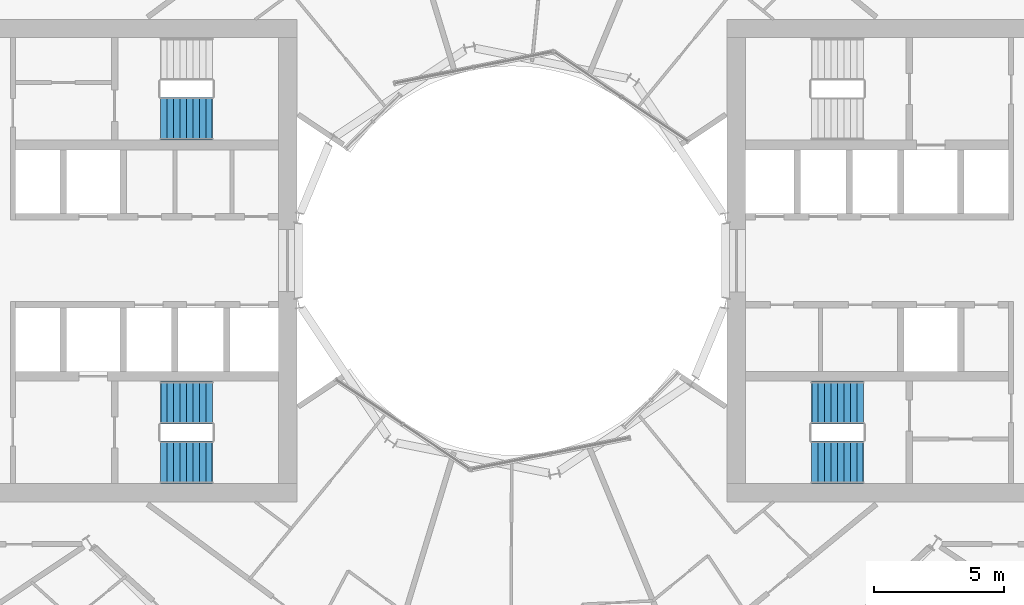
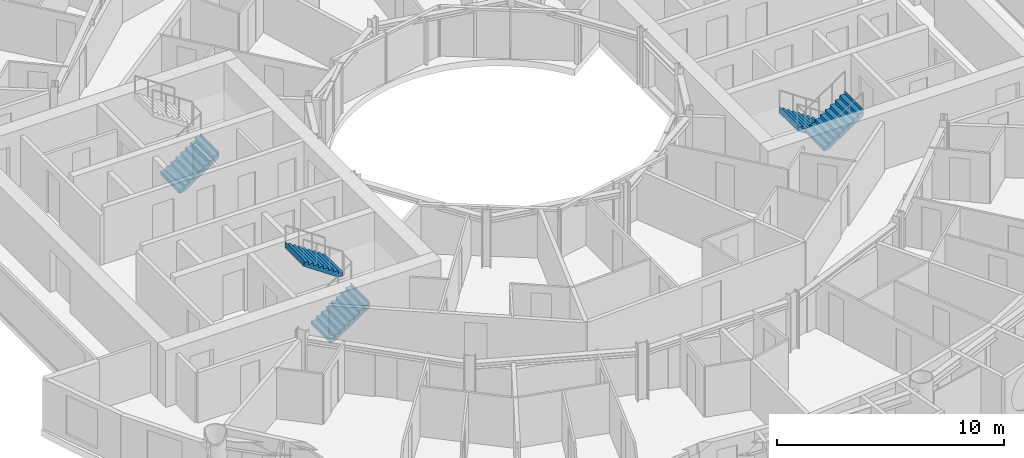
# One storey, part 23 of 26: 5 stair flights, 3 elements without a shape of their own.
"""IFC4 building model written with IfcOpenShell, lengths in metres."""

from ifc_helpers import new_model, si_unit, direction, frame, origin, place, context, subcontext, project, spatial, triangles, material, type_object, element, aggregate, save


model = new_model("IFC4")

# Units and contexts
model_context = context("Model", 3, precision=1e-05, world=origin(), true_north=direction((0.0, 1.0)))
body_context = subcontext(model_context, "Body", "Model", "MODEL_VIEW")
ifc_project = project(units=[si_unit("LENGTHUNIT", "METRE"), si_unit("AREAUNIT", "SQUARE_METRE"), si_unit("VOLUMEUNIT", "CUBIC_METRE"), si_unit("PLANEANGLEUNIT", "RADIAN"), si_unit("MASSUNIT", "GRAM", prefix="KILO")], contexts=[model_context])

# Site, building, storey
site_placement = place(None, origin())
site = spatial("IfcSite", under=ifc_project, at=site_placement, CompositionType="ELEMENT")
building_placement = place(site_placement, origin())
building = spatial("IfcBuilding", under=site, at=building_placement, Name="Maasbend Ring Residences", CompositionType="ELEMENT")
storey_placement = place(building_placement, frame((0.0, 0.0, 84.949951171875)))
storey = spatial("IfcBuildingStorey", under=building, at=storey_placement, Name="L24", CompositionType="ELEMENT", Elevation=84.949951171875)

# Stair, stair flights
ifc_material_1 = material(Name="Concrete C40/50", Category="concrete")
stair_type = type_object("IfcStairType", Name="CORE STAIR 18 RISERS", PredefinedType="HALF_TURN_STAIR", material=ifc_material_1)
stair_1_placement = place(storey_placement, origin())
stair_1 = element("IfcStair", 1, at=stair_1_placement, inside=storey, type_object=stair_type, Name="L24 Exit stair ST-E2", PredefinedType="HALF_TURN_STAIR")
ifc_material_2 = material(Name="Concrete C40/50", Category="concrete")
stair_flight_type = type_object("IfcStairFlightType", Name="CORE STAIR FLIGHT 1650", PredefinedType="STRAIGHT", material=ifc_material_2)
stair_flight_1_placement = place(storey_placement, frame((13.550048828125, -5.47509765625, 0.0), z_axis=(0.0, 0.0, 1.0), x_axis=(-1.0, 0.0, 0.0)))
stair_flight_1 = element("IfcStairFlight", 2, at=stair_flight_1_placement, type_object=stair_flight_type, Name="ST-E2 flight 1", NumberOfRisers=9, NumberOfTreads=8, PredefinedType="STRAIGHT", RiserHeight=0.169444444, TreadLength=0.25, context=body_context, shape_type="Tessellation", body=[
    triangles([(0.24072265625, 0.824951171875, -0.02001953125), (2.0029296875, 0.824951171875, 1.174560546875), (2.0029296875, 0.824951171875, 1.52490234375), (1.989990234375, 0.824951171875, 1.35546875), (1.75, 0.824951171875, 1.35546875), (1.75, 0.824951171875, 1.18603515625), (1.5, 0.824951171875, 1.18603515625), (1.5, 0.824951171875, 1.0166015625), (1.25, 0.824951171875, 1.0166015625), (1.25, 0.824951171875, 0.84716796875), (1.0, 0.824951171875, 0.84716796875), (1.0, 0.824951171875, 0.677734375), (0.75, 0.824951171875, 0.677734375), (0.75, 0.824951171875, 0.50830078125), (0.5, 0.824951171875, 0.50830078125), (0.5, 0.824951171875, 0.3388671875), (0.25, 0.824951171875, 0.3388671875), (0.25, 0.824951171875, 0.16943359375), (0.0, 0.824951171875, 0.16943359375), (0.0, 0.824951171875, 0.0), (-0.0029296875, 0.824951171875, 0.0), (-0.0029296875, 0.824951171875, -0.02001953125), (0.24072265625, 0.27490234375, -0.02001953125), (2.0029296875, 0.27490234375, 1.174560546875), (2.0029296875, 0.27490234375, 1.52490234375), (1.989990234375, 0.27490234375, 1.35546875), (1.75, 0.27490234375, 1.35546875), (1.75, 0.27490234375, 1.18603515625), (1.5, 0.27490234375, 1.18603515625), (1.5, 0.27490234375, 1.0166015625), (1.25, 0.27490234375, 1.0166015625), (1.25, 0.27490234375, 0.84716796875), (1.0, 0.27490234375, 0.84716796875), (1.0, 0.27490234375, 0.677734375), (0.75, 0.27490234375, 0.677734375), (0.75, 0.27490234375, 0.50830078125), (0.5, 0.27490234375, 0.50830078125), (0.5, 0.27490234375, 0.3388671875), (0.25, 0.27490234375, 0.3388671875), (0.25, 0.27490234375, 0.16943359375), (0.0, 0.27490234375, 0.16943359375), (0.0, 0.27490234375, 0.0), (-0.0029296875, 0.27490234375, 0.0), (-0.0029296875, 0.27490234375, -0.02001953125), (0.24072265625, -0.27490234375, -0.02001953125), (2.0029296875, -0.27490234375, 1.174560546875), (2.0029296875, -0.27490234375, 1.52490234375), (1.989990234375, -0.27490234375, 1.35546875), (1.75, -0.27490234375, 1.35546875), (1.75, -0.27490234375, 1.18603515625), (1.5, -0.27490234375, 1.18603515625), (1.5, -0.27490234375, 1.0166015625), (1.25, -0.27490234375, 1.0166015625), (1.25, -0.27490234375, 0.84716796875), (1.0, -0.27490234375, 0.84716796875), (1.0, -0.27490234375, 0.677734375), (0.75, -0.27490234375, 0.677734375), (0.75, -0.27490234375, 0.50830078125), (0.5, -0.27490234375, 0.50830078125), (0.5, -0.27490234375, 0.3388671875), (0.25, -0.27490234375, 0.3388671875), (0.25, -0.27490234375, 0.16943359375), (0.0, -0.27490234375, 0.16943359375), (0.0, -0.27490234375, 0.0), (-0.0029296875, -0.27490234375, 0.0), (-0.0029296875, -0.27490234375, -0.02001953125), (0.24072265625, -0.824951171875, -0.02001953125), (2.0029296875, -0.824951171875, 1.174560546875), (2.0029296875, -0.824951171875, 1.52490234375), (1.989990234375, -0.824951171875, 1.35546875), (1.75, -0.824951171875, 1.35546875), (1.75, -0.824951171875, 1.18603515625), (1.5, -0.824951171875, 1.18603515625), (1.5, -0.824951171875, 1.0166015625), (1.25, -0.824951171875, 1.0166015625), (1.25, -0.824951171875, 0.84716796875), (1.0, -0.824951171875, 0.84716796875), (1.0, -0.824951171875, 0.677734375), (0.75, -0.824951171875, 0.677734375), (0.75, -0.824951171875, 0.50830078125), (0.5, -0.824951171875, 0.50830078125), (0.5, -0.824951171875, 0.3388671875), (0.25, -0.824951171875, 0.3388671875), (0.25, -0.824951171875, 0.16943359375), (0.0, -0.824951171875, 0.16943359375), (0.0, -0.824951171875, 0.0), (-0.0029296875, -0.824951171875, 0.0), (-0.0029296875, -0.824951171875, -0.02001953125)], [[1, 2, 24], [1, 24, 23], [23, 24, 46], [23, 46, 45], [45, 46, 68], [45, 68, 67], [2, 3, 25], [2, 25, 24], [24, 25, 47], [24, 47, 46], [46, 47, 69], [46, 69, 68], [3, 4, 26], [3, 26, 25], [25, 26, 48], [25, 48, 47], [47, 48, 70], [47, 70, 69], [4, 5, 27], [4, 27, 26], [26, 27, 49], [26, 49, 48], [48, 49, 71], [48, 71, 70], [5, 6, 28], [5, 28, 27], [27, 28, 50], [27, 50, 49], [49, 50, 72], [49, 72, 71], [6, 7, 29], [6, 29, 28], [28, 29, 51], [28, 51, 50], [50, 51, 73], [50, 73, 72], [7, 8, 30], [7, 30, 29], [29, 30, 52], [29, 52, 51], [51, 52, 74], [51, 74, 73], [8, 9, 31], [8, 31, 30], [30, 31, 53], [30, 53, 52], [52, 53, 75], [52, 75, 74], [9, 10, 32], [9, 32, 31], [31, 32, 54], [31, 54, 53], [53, 54, 76], [53, 76, 75], [10, 11, 33], [10, 33, 32], [32, 33, 55], [32, 55, 54], [54, 55, 77], [54, 77, 76], [11, 12, 34], [11, 34, 33], [33, 34, 56], [33, 56, 55], [55, 56, 78], [55, 78, 77], [12, 13, 35], [12, 35, 34], [34, 35, 57], [34, 57, 56], [56, 57, 79], [56, 79, 78], [13, 14, 36], [13, 36, 35], [35, 36, 58], [35, 58, 57], [57, 58, 80], [57, 80, 79], [14, 15, 37], [14, 37, 36], [36, 37, 59], [36, 59, 58], [58, 59, 81], [58, 81, 80], [15, 16, 38], [15, 38, 37], [37, 38, 60], [37, 60, 59], [59, 60, 82], [59, 82, 81], [16, 17, 39], [16, 39, 38], [38, 39, 61], [38, 61, 60], [60, 61, 83], [60, 83, 82], [17, 18, 40], [17, 40, 39], [39, 40, 62], [39, 62, 61], [61, 62, 84], [61, 84, 83], [18, 19, 41], [18, 41, 40], [40, 41, 63], [40, 63, 62], [62, 63, 85], [62, 85, 84], [19, 20, 42], [19, 42, 41], [41, 42, 64], [41, 64, 63], [63, 64, 86], [63, 86, 85], [20, 21, 43], [20, 43, 42], [42, 43, 65], [42, 65, 64], [64, 65, 87], [64, 87, 86], [21, 22, 44], [21, 44, 43], [43, 44, 66], [43, 66, 65], [65, 66, 88], [65, 88, 87], [22, 1, 23], [22, 23, 44], [44, 23, 45], [44, 45, 66], [66, 45, 67], [66, 67, 88], [22, 2, 1], [2, 4, 3], [2, 5, 4], [2, 6, 5], [22, 6, 2], [6, 8, 7], [22, 8, 6], [8, 10, 9], [22, 10, 8], [10, 12, 11], [22, 12, 10], [12, 14, 13], [22, 14, 12], [14, 16, 15], [22, 16, 14], [16, 18, 17], [22, 18, 16], [18, 20, 19], [22, 20, 18], [20, 22, 21], [88, 67, 68], [68, 69, 70], [68, 70, 71], [68, 71, 72], [88, 68, 72], [72, 73, 74], [88, 72, 74], [74, 75, 76], [88, 74, 76], [76, 77, 78], [88, 76, 78], [78, 79, 80], [88, 78, 80], [80, 81, 82], [88, 80, 82], [82, 83, 84], [88, 82, 84], [84, 85, 86], [88, 84, 86], [86, 87, 88]], closed=True),
])
stair_flight_2_placement = place(storey_placement, frame((11.550048828125, -7.77490234375, 1.525146484375), z_axis=(0.0, 0.0, 1.0), x_axis=(1.0, 0.0, 0.0)))
stair_flight_2 = element("IfcStairFlight", 3, at=stair_flight_2_placement, type_object=stair_flight_type, Name="ST-E2 flight 2", NumberOfRisers=9, NumberOfTreads=8, PredefinedType="STRAIGHT", RiserHeight=0.169444444, TreadLength=0.25, context=body_context, shape_type="Tessellation", body=[
    triangles([(0.24072265625, 0.824951171875, -0.02001953125), (2.0029296875, 0.824951171875, 1.174560546875), (2.0029296875, 0.824951171875, 1.52490234375), (1.989990234375, 0.824951171875, 1.35546875), (1.75, 0.824951171875, 1.35546875), (1.75, 0.824951171875, 1.18603515625), (1.5, 0.824951171875, 1.18603515625), (1.5, 0.824951171875, 1.0166015625), (1.25, 0.824951171875, 1.0166015625), (1.25, 0.824951171875, 0.84716796875), (1.0, 0.824951171875, 0.84716796875), (1.0, 0.824951171875, 0.677734375), (0.75, 0.824951171875, 0.677734375), (0.75, 0.824951171875, 0.50830078125), (0.5, 0.824951171875, 0.50830078125), (0.5, 0.824951171875, 0.3388671875), (0.25, 0.824951171875, 0.3388671875), (0.25, 0.824951171875, 0.16943359375), (0.0, 0.824951171875, 0.16943359375), (0.0, 0.824951171875, 0.0), (-0.0029296875, 0.824951171875, 0.0), (-0.0029296875, 0.824951171875, -0.02001953125), (0.24072265625, 0.27490234375, -0.02001953125), (2.0029296875, 0.27490234375, 1.174560546875), (2.0029296875, 0.27490234375, 1.52490234375), (1.989990234375, 0.27490234375, 1.35546875), (1.75, 0.27490234375, 1.35546875), (1.75, 0.27490234375, 1.18603515625), (1.5, 0.27490234375, 1.18603515625), (1.5, 0.27490234375, 1.0166015625), (1.25, 0.27490234375, 1.0166015625), (1.25, 0.27490234375, 0.84716796875), (1.0, 0.27490234375, 0.84716796875), (1.0, 0.27490234375, 0.677734375), (0.75, 0.27490234375, 0.677734375), (0.75, 0.27490234375, 0.50830078125), (0.5, 0.27490234375, 0.50830078125), (0.5, 0.27490234375, 0.3388671875), (0.25, 0.27490234375, 0.3388671875), (0.25, 0.27490234375, 0.16943359375), (0.0, 0.27490234375, 0.16943359375), (0.0, 0.27490234375, 0.0), (-0.0029296875, 0.27490234375, 0.0), (-0.0029296875, 0.27490234375, -0.02001953125), (0.24072265625, -0.27490234375, -0.02001953125), (2.0029296875, -0.27490234375, 1.174560546875), (2.0029296875, -0.27490234375, 1.52490234375), (1.989990234375, -0.27490234375, 1.35546875), (1.75, -0.27490234375, 1.35546875), (1.75, -0.27490234375, 1.18603515625), (1.5, -0.27490234375, 1.18603515625), (1.5, -0.27490234375, 1.0166015625), (1.25, -0.27490234375, 1.0166015625), (1.25, -0.27490234375, 0.84716796875), (1.0, -0.27490234375, 0.84716796875), (1.0, -0.27490234375, 0.677734375), (0.75, -0.27490234375, 0.677734375), (0.75, -0.27490234375, 0.50830078125), (0.5, -0.27490234375, 0.50830078125), (0.5, -0.27490234375, 0.3388671875), (0.25, -0.27490234375, 0.3388671875), (0.25, -0.27490234375, 0.16943359375), (0.0, -0.27490234375, 0.16943359375), (0.0, -0.27490234375, 0.0), (-0.0029296875, -0.27490234375, 0.0), (-0.0029296875, -0.27490234375, -0.02001953125), (0.24072265625, -0.824951171875, -0.02001953125), (2.0029296875, -0.824951171875, 1.174560546875), (2.0029296875, -0.824951171875, 1.52490234375), (1.989990234375, -0.824951171875, 1.35546875), (1.75, -0.824951171875, 1.35546875), (1.75, -0.824951171875, 1.18603515625), (1.5, -0.824951171875, 1.18603515625), (1.5, -0.824951171875, 1.0166015625), (1.25, -0.824951171875, 1.0166015625), (1.25, -0.824951171875, 0.84716796875), (1.0, -0.824951171875, 0.84716796875), (1.0, -0.824951171875, 0.677734375), (0.75, -0.824951171875, 0.677734375), (0.75, -0.824951171875, 0.50830078125), (0.5, -0.824951171875, 0.50830078125), (0.5, -0.824951171875, 0.3388671875), (0.25, -0.824951171875, 0.3388671875), (0.25, -0.824951171875, 0.16943359375), (0.0, -0.824951171875, 0.16943359375), (0.0, -0.824951171875, 0.0), (-0.0029296875, -0.824951171875, 0.0), (-0.0029296875, -0.824951171875, -0.02001953125)], [[1, 2, 24], [1, 24, 23], [23, 24, 46], [23, 46, 45], [45, 46, 68], [45, 68, 67], [2, 3, 25], [2, 25, 24], [24, 25, 47], [24, 47, 46], [46, 47, 69], [46, 69, 68], [3, 4, 26], [3, 26, 25], [25, 26, 48], [25, 48, 47], [47, 48, 70], [47, 70, 69], [4, 5, 27], [4, 27, 26], [26, 27, 49], [26, 49, 48], [48, 49, 71], [48, 71, 70], [5, 6, 28], [5, 28, 27], [27, 28, 50], [27, 50, 49], [49, 50, 72], [49, 72, 71], [6, 7, 29], [6, 29, 28], [28, 29, 51], [28, 51, 50], [50, 51, 73], [50, 73, 72], [7, 8, 30], [7, 30, 29], [29, 30, 52], [29, 52, 51], [51, 52, 74], [51, 74, 73], [8, 9, 31], [8, 31, 30], [30, 31, 53], [30, 53, 52], [52, 53, 75], [52, 75, 74], [9, 10, 32], [9, 32, 31], [31, 32, 54], [31, 54, 53], [53, 54, 76], [53, 76, 75], [10, 11, 33], [10, 33, 32], [32, 33, 55], [32, 55, 54], [54, 55, 77], [54, 77, 76], [11, 12, 34], [11, 34, 33], [33, 34, 56], [33, 56, 55], [55, 56, 78], [55, 78, 77], [12, 13, 35], [12, 35, 34], [34, 35, 57], [34, 57, 56], [56, 57, 79], [56, 79, 78], [13, 14, 36], [13, 36, 35], [35, 36, 58], [35, 58, 57], [57, 58, 80], [57, 80, 79], [14, 15, 37], [14, 37, 36], [36, 37, 59], [36, 59, 58], [58, 59, 81], [58, 81, 80], [15, 16, 38], [15, 38, 37], [37, 38, 60], [37, 60, 59], [59, 60, 82], [59, 82, 81], [16, 17, 39], [16, 39, 38], [38, 39, 61], [38, 61, 60], [60, 61, 83], [60, 83, 82], [17, 18, 40], [17, 40, 39], [39, 40, 62], [39, 62, 61], [61, 62, 84], [61, 84, 83], [18, 19, 41], [18, 41, 40], [40, 41, 63], [40, 63, 62], [62, 63, 85], [62, 85, 84], [19, 20, 42], [19, 42, 41], [41, 42, 64], [41, 64, 63], [63, 64, 86], [63, 86, 85], [20, 21, 43], [20, 43, 42], [42, 43, 65], [42, 65, 64], [64, 65, 87], [64, 87, 86], [21, 22, 44], [21, 44, 43], [43, 44, 66], [43, 66, 65], [65, 66, 88], [65, 88, 87], [22, 1, 23], [22, 23, 44], [44, 23, 45], [44, 45, 66], [66, 45, 67], [66, 67, 88], [22, 2, 1], [2, 4, 3], [2, 5, 4], [2, 6, 5], [22, 6, 2], [6, 8, 7], [22, 8, 6], [8, 10, 9], [22, 10, 8], [10, 12, 11], [22, 12, 10], [12, 14, 13], [22, 14, 12], [14, 16, 15], [22, 16, 14], [16, 18, 17], [22, 18, 16], [18, 20, 19], [22, 20, 18], [20, 22, 21], [88, 67, 68], [68, 69, 70], [68, 70, 71], [68, 71, 72], [88, 68, 72], [72, 73, 74], [88, 72, 74], [74, 75, 76], [88, 74, 76], [76, 77, 78], [88, 76, 78], [78, 79, 80], [88, 78, 80], [80, 81, 82], [88, 80, 82], [82, 83, 84], [88, 82, 84], [84, 85, 86], [88, 84, 86], [86, 87, 88]], closed=True),
])
aggregate(stair_1, [stair_flight_1, stair_flight_2])

stair_2_placement = place(storey_placement, origin())
stair_2 = element("IfcStair", 4, at=stair_2_placement, inside=storey, type_object=stair_type, Name="L24 Exit stair ST-W1", PredefinedType="HALF_TURN_STAIR")
stair_flight_3_placement = place(storey_placement, frame((-13.550048828125, -7.77490234375, 0.0), z_axis=(0.0, 0.0, 1.0), x_axis=(1.0, 0.0, 0.0)))
stair_flight_3 = element("IfcStairFlight", 5, at=stair_flight_3_placement, type_object=stair_flight_type, Name="ST-W1 flight 1", NumberOfRisers=9, NumberOfTreads=8, PredefinedType="STRAIGHT", RiserHeight=0.169444444, TreadLength=0.25, context=body_context, shape_type="Tessellation", body=[
    triangles([(0.24072265625, 0.824951171875, -0.02001953125), (2.0029296875, 0.824951171875, 1.174560546875), (2.0029296875, 0.824951171875, 1.52490234375), (1.989990234375, 0.824951171875, 1.35546875), (1.75, 0.824951171875, 1.35546875), (1.75, 0.824951171875, 1.18603515625), (1.5, 0.824951171875, 1.18603515625), (1.5, 0.824951171875, 1.0166015625), (1.25, 0.824951171875, 1.0166015625), (1.25, 0.824951171875, 0.84716796875), (1.0, 0.824951171875, 0.84716796875), (1.0, 0.824951171875, 0.677734375), (0.75, 0.824951171875, 0.677734375), (0.75, 0.824951171875, 0.50830078125), (0.5, 0.824951171875, 0.50830078125), (0.5, 0.824951171875, 0.3388671875), (0.25, 0.824951171875, 0.3388671875), (0.25, 0.824951171875, 0.16943359375), (0.0, 0.824951171875, 0.16943359375), (0.0, 0.824951171875, 0.0), (-0.0029296875, 0.824951171875, 0.0), (-0.0029296875, 0.824951171875, -0.02001953125), (0.24072265625, 0.27490234375, -0.02001953125), (2.0029296875, 0.27490234375, 1.174560546875), (2.0029296875, 0.27490234375, 1.52490234375), (1.989990234375, 0.27490234375, 1.35546875), (1.75, 0.27490234375, 1.35546875), (1.75, 0.27490234375, 1.18603515625), (1.5, 0.27490234375, 1.18603515625), (1.5, 0.27490234375, 1.0166015625), (1.25, 0.27490234375, 1.0166015625), (1.25, 0.27490234375, 0.84716796875), (1.0, 0.27490234375, 0.84716796875), (1.0, 0.27490234375, 0.677734375), (0.75, 0.27490234375, 0.677734375), (0.75, 0.27490234375, 0.50830078125), (0.5, 0.27490234375, 0.50830078125), (0.5, 0.27490234375, 0.3388671875), (0.25, 0.27490234375, 0.3388671875), (0.25, 0.27490234375, 0.16943359375), (0.0, 0.27490234375, 0.16943359375), (0.0, 0.27490234375, 0.0), (-0.0029296875, 0.27490234375, 0.0), (-0.0029296875, 0.27490234375, -0.02001953125), (0.24072265625, -0.27490234375, -0.02001953125), (2.0029296875, -0.27490234375, 1.174560546875), (2.0029296875, -0.27490234375, 1.52490234375), (1.989990234375, -0.27490234375, 1.35546875), (1.75, -0.27490234375, 1.35546875), (1.75, -0.27490234375, 1.18603515625), (1.5, -0.27490234375, 1.18603515625), (1.5, -0.27490234375, 1.0166015625), (1.25, -0.27490234375, 1.0166015625), (1.25, -0.27490234375, 0.84716796875), (1.0, -0.27490234375, 0.84716796875), (1.0, -0.27490234375, 0.677734375), (0.75, -0.27490234375, 0.677734375), (0.75, -0.27490234375, 0.50830078125), (0.5, -0.27490234375, 0.50830078125), (0.5, -0.27490234375, 0.3388671875), (0.25, -0.27490234375, 0.3388671875), (0.25, -0.27490234375, 0.16943359375), (0.0, -0.27490234375, 0.16943359375), (0.0, -0.27490234375, 0.0), (-0.0029296875, -0.27490234375, 0.0), (-0.0029296875, -0.27490234375, -0.02001953125), (0.24072265625, -0.824951171875, -0.02001953125), (2.0029296875, -0.824951171875, 1.174560546875), (2.0029296875, -0.824951171875, 1.52490234375), (1.989990234375, -0.824951171875, 1.35546875), (1.75, -0.824951171875, 1.35546875), (1.75, -0.824951171875, 1.18603515625), (1.5, -0.824951171875, 1.18603515625), (1.5, -0.824951171875, 1.0166015625), (1.25, -0.824951171875, 1.0166015625), (1.25, -0.824951171875, 0.84716796875), (1.0, -0.824951171875, 0.84716796875), (1.0, -0.824951171875, 0.677734375), (0.75, -0.824951171875, 0.677734375), (0.75, -0.824951171875, 0.50830078125), (0.5, -0.824951171875, 0.50830078125), (0.5, -0.824951171875, 0.3388671875), (0.25, -0.824951171875, 0.3388671875), (0.25, -0.824951171875, 0.16943359375), (0.0, -0.824951171875, 0.16943359375), (0.0, -0.824951171875, 0.0), (-0.0029296875, -0.824951171875, 0.0), (-0.0029296875, -0.824951171875, -0.02001953125)], [[1, 2, 24], [1, 24, 23], [23, 24, 46], [23, 46, 45], [45, 46, 68], [45, 68, 67], [2, 3, 25], [2, 25, 24], [24, 25, 47], [24, 47, 46], [46, 47, 69], [46, 69, 68], [3, 4, 26], [3, 26, 25], [25, 26, 48], [25, 48, 47], [47, 48, 70], [47, 70, 69], [4, 5, 27], [4, 27, 26], [26, 27, 49], [26, 49, 48], [48, 49, 71], [48, 71, 70], [5, 6, 28], [5, 28, 27], [27, 28, 50], [27, 50, 49], [49, 50, 72], [49, 72, 71], [6, 7, 29], [6, 29, 28], [28, 29, 51], [28, 51, 50], [50, 51, 73], [50, 73, 72], [7, 8, 30], [7, 30, 29], [29, 30, 52], [29, 52, 51], [51, 52, 74], [51, 74, 73], [8, 9, 31], [8, 31, 30], [30, 31, 53], [30, 53, 52], [52, 53, 75], [52, 75, 74], [9, 10, 32], [9, 32, 31], [31, 32, 54], [31, 54, 53], [53, 54, 76], [53, 76, 75], [10, 11, 33], [10, 33, 32], [32, 33, 55], [32, 55, 54], [54, 55, 77], [54, 77, 76], [11, 12, 34], [11, 34, 33], [33, 34, 56], [33, 56, 55], [55, 56, 78], [55, 78, 77], [12, 13, 35], [12, 35, 34], [34, 35, 57], [34, 57, 56], [56, 57, 79], [56, 79, 78], [13, 14, 36], [13, 36, 35], [35, 36, 58], [35, 58, 57], [57, 58, 80], [57, 80, 79], [14, 15, 37], [14, 37, 36], [36, 37, 59], [36, 59, 58], [58, 59, 81], [58, 81, 80], [15, 16, 38], [15, 38, 37], [37, 38, 60], [37, 60, 59], [59, 60, 82], [59, 82, 81], [16, 17, 39], [16, 39, 38], [38, 39, 61], [38, 61, 60], [60, 61, 83], [60, 83, 82], [17, 18, 40], [17, 40, 39], [39, 40, 62], [39, 62, 61], [61, 62, 84], [61, 84, 83], [18, 19, 41], [18, 41, 40], [40, 41, 63], [40, 63, 62], [62, 63, 85], [62, 85, 84], [19, 20, 42], [19, 42, 41], [41, 42, 64], [41, 64, 63], [63, 64, 86], [63, 86, 85], [20, 21, 43], [20, 43, 42], [42, 43, 65], [42, 65, 64], [64, 65, 87], [64, 87, 86], [21, 22, 44], [21, 44, 43], [43, 44, 66], [43, 66, 65], [65, 66, 88], [65, 88, 87], [22, 1, 23], [22, 23, 44], [44, 23, 45], [44, 45, 66], [66, 45, 67], [66, 67, 88], [22, 2, 1], [2, 4, 3], [2, 5, 4], [2, 6, 5], [22, 6, 2], [6, 8, 7], [22, 8, 6], [8, 10, 9], [22, 10, 8], [10, 12, 11], [22, 12, 10], [12, 14, 13], [22, 14, 12], [14, 16, 15], [22, 16, 14], [16, 18, 17], [22, 18, 16], [18, 20, 19], [22, 20, 18], [20, 22, 21], [88, 67, 68], [68, 69, 70], [68, 70, 71], [68, 71, 72], [88, 68, 72], [72, 73, 74], [88, 72, 74], [74, 75, 76], [88, 74, 76], [76, 77, 78], [88, 76, 78], [78, 79, 80], [88, 78, 80], [80, 81, 82], [88, 80, 82], [82, 83, 84], [88, 82, 84], [84, 85, 86], [88, 84, 86], [86, 87, 88]], closed=True),
])
stair_flight_4_placement = place(storey_placement, frame((-11.550048828125, -5.47509765625, 1.525146484375), z_axis=(0.0, 0.0, 1.0), x_axis=(-1.0, 0.0, 0.0)))
stair_flight_4 = element("IfcStairFlight", 6, at=stair_flight_4_placement, type_object=stair_flight_type, Name="ST-W1 flight 2", NumberOfRisers=9, NumberOfTreads=8, PredefinedType="STRAIGHT", RiserHeight=0.169444444, TreadLength=0.25, context=body_context, shape_type="Tessellation", body=[
    triangles([(0.24072265625, 0.824951171875, -0.02001953125), (2.0029296875, 0.824951171875, 1.174560546875), (2.0029296875, 0.824951171875, 1.52490234375), (1.989990234375, 0.824951171875, 1.35546875), (1.75, 0.824951171875, 1.35546875), (1.75, 0.824951171875, 1.18603515625), (1.5, 0.824951171875, 1.18603515625), (1.5, 0.824951171875, 1.0166015625), (1.25, 0.824951171875, 1.0166015625), (1.25, 0.824951171875, 0.84716796875), (1.0, 0.824951171875, 0.84716796875), (1.0, 0.824951171875, 0.677734375), (0.75, 0.824951171875, 0.677734375), (0.75, 0.824951171875, 0.50830078125), (0.5, 0.824951171875, 0.50830078125), (0.5, 0.824951171875, 0.3388671875), (0.25, 0.824951171875, 0.3388671875), (0.25, 0.824951171875, 0.16943359375), (0.0, 0.824951171875, 0.16943359375), (0.0, 0.824951171875, 0.0), (-0.0029296875, 0.824951171875, 0.0), (-0.0029296875, 0.824951171875, -0.02001953125), (0.24072265625, 0.27490234375, -0.02001953125), (2.0029296875, 0.27490234375, 1.174560546875), (2.0029296875, 0.27490234375, 1.52490234375), (1.989990234375, 0.27490234375, 1.35546875), (1.75, 0.27490234375, 1.35546875), (1.75, 0.27490234375, 1.18603515625), (1.5, 0.27490234375, 1.18603515625), (1.5, 0.27490234375, 1.0166015625), (1.25, 0.27490234375, 1.0166015625), (1.25, 0.27490234375, 0.84716796875), (1.0, 0.27490234375, 0.84716796875), (1.0, 0.27490234375, 0.677734375), (0.75, 0.27490234375, 0.677734375), (0.75, 0.27490234375, 0.50830078125), (0.5, 0.27490234375, 0.50830078125), (0.5, 0.27490234375, 0.3388671875), (0.25, 0.27490234375, 0.3388671875), (0.25, 0.27490234375, 0.16943359375), (0.0, 0.27490234375, 0.16943359375), (0.0, 0.27490234375, 0.0), (-0.0029296875, 0.27490234375, 0.0), (-0.0029296875, 0.27490234375, -0.02001953125), (0.24072265625, -0.27490234375, -0.02001953125), (2.0029296875, -0.27490234375, 1.174560546875), (2.0029296875, -0.27490234375, 1.52490234375), (1.989990234375, -0.27490234375, 1.35546875), (1.75, -0.27490234375, 1.35546875), (1.75, -0.27490234375, 1.18603515625), (1.5, -0.27490234375, 1.18603515625), (1.5, -0.27490234375, 1.0166015625), (1.25, -0.27490234375, 1.0166015625), (1.25, -0.27490234375, 0.84716796875), (1.0, -0.27490234375, 0.84716796875), (1.0, -0.27490234375, 0.677734375), (0.75, -0.27490234375, 0.677734375), (0.75, -0.27490234375, 0.50830078125), (0.5, -0.27490234375, 0.50830078125), (0.5, -0.27490234375, 0.3388671875), (0.25, -0.27490234375, 0.3388671875), (0.25, -0.27490234375, 0.16943359375), (0.0, -0.27490234375, 0.16943359375), (0.0, -0.27490234375, 0.0), (-0.0029296875, -0.27490234375, 0.0), (-0.0029296875, -0.27490234375, -0.02001953125), (0.24072265625, -0.824951171875, -0.02001953125), (2.0029296875, -0.824951171875, 1.174560546875), (2.0029296875, -0.824951171875, 1.52490234375), (1.989990234375, -0.824951171875, 1.35546875), (1.75, -0.824951171875, 1.35546875), (1.75, -0.824951171875, 1.18603515625), (1.5, -0.824951171875, 1.18603515625), (1.5, -0.824951171875, 1.0166015625), (1.25, -0.824951171875, 1.0166015625), (1.25, -0.824951171875, 0.84716796875), (1.0, -0.824951171875, 0.84716796875), (1.0, -0.824951171875, 0.677734375), (0.75, -0.824951171875, 0.677734375), (0.75, -0.824951171875, 0.50830078125), (0.5, -0.824951171875, 0.50830078125), (0.5, -0.824951171875, 0.3388671875), (0.25, -0.824951171875, 0.3388671875), (0.25, -0.824951171875, 0.16943359375), (0.0, -0.824951171875, 0.16943359375), (0.0, -0.824951171875, 0.0), (-0.0029296875, -0.824951171875, 0.0), (-0.0029296875, -0.824951171875, -0.02001953125)], [[1, 2, 24], [1, 24, 23], [23, 24, 46], [23, 46, 45], [45, 46, 68], [45, 68, 67], [2, 3, 25], [2, 25, 24], [24, 25, 47], [24, 47, 46], [46, 47, 69], [46, 69, 68], [3, 4, 26], [3, 26, 25], [25, 26, 48], [25, 48, 47], [47, 48, 70], [47, 70, 69], [4, 5, 27], [4, 27, 26], [26, 27, 49], [26, 49, 48], [48, 49, 71], [48, 71, 70], [5, 6, 28], [5, 28, 27], [27, 28, 50], [27, 50, 49], [49, 50, 72], [49, 72, 71], [6, 7, 29], [6, 29, 28], [28, 29, 51], [28, 51, 50], [50, 51, 73], [50, 73, 72], [7, 8, 30], [7, 30, 29], [29, 30, 52], [29, 52, 51], [51, 52, 74], [51, 74, 73], [8, 9, 31], [8, 31, 30], [30, 31, 53], [30, 53, 52], [52, 53, 75], [52, 75, 74], [9, 10, 32], [9, 32, 31], [31, 32, 54], [31, 54, 53], [53, 54, 76], [53, 76, 75], [10, 11, 33], [10, 33, 32], [32, 33, 55], [32, 55, 54], [54, 55, 77], [54, 77, 76], [11, 12, 34], [11, 34, 33], [33, 34, 56], [33, 56, 55], [55, 56, 78], [55, 78, 77], [12, 13, 35], [12, 35, 34], [34, 35, 57], [34, 57, 56], [56, 57, 79], [56, 79, 78], [13, 14, 36], [13, 36, 35], [35, 36, 58], [35, 58, 57], [57, 58, 80], [57, 80, 79], [14, 15, 37], [14, 37, 36], [36, 37, 59], [36, 59, 58], [58, 59, 81], [58, 81, 80], [15, 16, 38], [15, 38, 37], [37, 38, 60], [37, 60, 59], [59, 60, 82], [59, 82, 81], [16, 17, 39], [16, 39, 38], [38, 39, 61], [38, 61, 60], [60, 61, 83], [60, 83, 82], [17, 18, 40], [17, 40, 39], [39, 40, 62], [39, 62, 61], [61, 62, 84], [61, 84, 83], [18, 19, 41], [18, 41, 40], [40, 41, 63], [40, 63, 62], [62, 63, 85], [62, 85, 84], [19, 20, 42], [19, 42, 41], [41, 42, 64], [41, 64, 63], [63, 64, 86], [63, 86, 85], [20, 21, 43], [20, 43, 42], [42, 43, 65], [42, 65, 64], [64, 65, 87], [64, 87, 86], [21, 22, 44], [21, 44, 43], [43, 44, 66], [43, 66, 65], [65, 66, 88], [65, 88, 87], [22, 1, 23], [22, 23, 44], [44, 23, 45], [44, 45, 66], [66, 45, 67], [66, 67, 88], [22, 2, 1], [2, 4, 3], [2, 5, 4], [2, 6, 5], [22, 6, 2], [6, 8, 7], [22, 8, 6], [8, 10, 9], [22, 10, 8], [10, 12, 11], [22, 12, 10], [12, 14, 13], [22, 14, 12], [14, 16, 15], [22, 16, 14], [16, 18, 17], [22, 18, 16], [18, 20, 19], [22, 20, 18], [20, 22, 21], [88, 67, 68], [68, 69, 70], [68, 70, 71], [68, 71, 72], [88, 68, 72], [72, 73, 74], [88, 72, 74], [74, 75, 76], [88, 74, 76], [76, 77, 78], [88, 76, 78], [78, 79, 80], [88, 78, 80], [80, 81, 82], [88, 80, 82], [82, 83, 84], [88, 82, 84], [84, 85, 86], [88, 84, 86], [86, 87, 88]], closed=True),
])
aggregate(stair_2, [stair_flight_3, stair_flight_4])

# Stair, stair flight
stair_3_placement = place(storey_placement, origin())
stair_3 = element("IfcStair", 7, at=stair_3_placement, inside=storey, type_object=stair_type, Name="L24 Exit stair ST-W2", PredefinedType="HALF_TURN_STAIR")
stair_flight_5_placement = place(storey_placement, frame((-13.550048828125, 5.47509765625, 0.0), z_axis=(0.0, 0.0, 1.0), x_axis=(1.0, 0.0, 0.0)))
stair_flight_5 = element("IfcStairFlight", 8, at=stair_flight_5_placement, type_object=stair_flight_type, Name="ST-W2 flight 1", NumberOfRisers=9, NumberOfTreads=8, PredefinedType="STRAIGHT", RiserHeight=0.169444444, TreadLength=0.25, context=body_context, shape_type="Tessellation", body=[
    triangles([(0.24072265625, 0.824951171875, -0.02001953125), (2.0029296875, 0.824951171875, 1.174560546875), (2.0029296875, 0.824951171875, 1.52490234375), (1.989990234375, 0.824951171875, 1.35546875), (1.75, 0.824951171875, 1.35546875), (1.75, 0.824951171875, 1.18603515625), (1.5, 0.824951171875, 1.18603515625), (1.5, 0.824951171875, 1.0166015625), (1.25, 0.824951171875, 1.0166015625), (1.25, 0.824951171875, 0.84716796875), (1.0, 0.824951171875, 0.84716796875), (1.0, 0.824951171875, 0.677734375), (0.75, 0.824951171875, 0.677734375), (0.75, 0.824951171875, 0.50830078125), (0.5, 0.824951171875, 0.50830078125), (0.5, 0.824951171875, 0.3388671875), (0.25, 0.824951171875, 0.3388671875), (0.25, 0.824951171875, 0.16943359375), (0.0, 0.824951171875, 0.16943359375), (0.0, 0.824951171875, 0.0), (-0.0029296875, 0.824951171875, 0.0), (-0.0029296875, 0.824951171875, -0.02001953125), (0.24072265625, 0.27490234375, -0.02001953125), (2.0029296875, 0.27490234375, 1.174560546875), (2.0029296875, 0.27490234375, 1.52490234375), (1.989990234375, 0.27490234375, 1.35546875), (1.75, 0.27490234375, 1.35546875), (1.75, 0.27490234375, 1.18603515625), (1.5, 0.27490234375, 1.18603515625), (1.5, 0.27490234375, 1.0166015625), (1.25, 0.27490234375, 1.0166015625), (1.25, 0.27490234375, 0.84716796875), (1.0, 0.27490234375, 0.84716796875), (1.0, 0.27490234375, 0.677734375), (0.75, 0.27490234375, 0.677734375), (0.75, 0.27490234375, 0.50830078125), (0.5, 0.27490234375, 0.50830078125), (0.5, 0.27490234375, 0.3388671875), (0.25, 0.27490234375, 0.3388671875), (0.25, 0.27490234375, 0.16943359375), (0.0, 0.27490234375, 0.16943359375), (0.0, 0.27490234375, 0.0), (-0.0029296875, 0.27490234375, 0.0), (-0.0029296875, 0.27490234375, -0.02001953125), (0.24072265625, -0.27490234375, -0.02001953125), (2.0029296875, -0.27490234375, 1.174560546875), (2.0029296875, -0.27490234375, 1.52490234375), (1.989990234375, -0.27490234375, 1.35546875), (1.75, -0.27490234375, 1.35546875), (1.75, -0.27490234375, 1.18603515625), (1.5, -0.27490234375, 1.18603515625), (1.5, -0.27490234375, 1.0166015625), (1.25, -0.27490234375, 1.0166015625), (1.25, -0.27490234375, 0.84716796875), (1.0, -0.27490234375, 0.84716796875), (1.0, -0.27490234375, 0.677734375), (0.75, -0.27490234375, 0.677734375), (0.75, -0.27490234375, 0.50830078125), (0.5, -0.27490234375, 0.50830078125), (0.5, -0.27490234375, 0.3388671875), (0.25, -0.27490234375, 0.3388671875), (0.25, -0.27490234375, 0.16943359375), (0.0, -0.27490234375, 0.16943359375), (0.0, -0.27490234375, 0.0), (-0.0029296875, -0.27490234375, 0.0), (-0.0029296875, -0.27490234375, -0.02001953125), (0.24072265625, -0.824951171875, -0.02001953125), (2.0029296875, -0.824951171875, 1.174560546875), (2.0029296875, -0.824951171875, 1.52490234375), (1.989990234375, -0.824951171875, 1.35546875), (1.75, -0.824951171875, 1.35546875), (1.75, -0.824951171875, 1.18603515625), (1.5, -0.824951171875, 1.18603515625), (1.5, -0.824951171875, 1.0166015625), (1.25, -0.824951171875, 1.0166015625), (1.25, -0.824951171875, 0.84716796875), (1.0, -0.824951171875, 0.84716796875), (1.0, -0.824951171875, 0.677734375), (0.75, -0.824951171875, 0.677734375), (0.75, -0.824951171875, 0.50830078125), (0.5, -0.824951171875, 0.50830078125), (0.5, -0.824951171875, 0.3388671875), (0.25, -0.824951171875, 0.3388671875), (0.25, -0.824951171875, 0.16943359375), (0.0, -0.824951171875, 0.16943359375), (0.0, -0.824951171875, 0.0), (-0.0029296875, -0.824951171875, 0.0), (-0.0029296875, -0.824951171875, -0.02001953125)], [[1, 2, 24], [1, 24, 23], [23, 24, 46], [23, 46, 45], [45, 46, 68], [45, 68, 67], [2, 3, 25], [2, 25, 24], [24, 25, 47], [24, 47, 46], [46, 47, 69], [46, 69, 68], [3, 4, 26], [3, 26, 25], [25, 26, 48], [25, 48, 47], [47, 48, 70], [47, 70, 69], [4, 5, 27], [4, 27, 26], [26, 27, 49], [26, 49, 48], [48, 49, 71], [48, 71, 70], [5, 6, 28], [5, 28, 27], [27, 28, 50], [27, 50, 49], [49, 50, 72], [49, 72, 71], [6, 7, 29], [6, 29, 28], [28, 29, 51], [28, 51, 50], [50, 51, 73], [50, 73, 72], [7, 8, 30], [7, 30, 29], [29, 30, 52], [29, 52, 51], [51, 52, 74], [51, 74, 73], [8, 9, 31], [8, 31, 30], [30, 31, 53], [30, 53, 52], [52, 53, 75], [52, 75, 74], [9, 10, 32], [9, 32, 31], [31, 32, 54], [31, 54, 53], [53, 54, 76], [53, 76, 75], [10, 11, 33], [10, 33, 32], [32, 33, 55], [32, 55, 54], [54, 55, 77], [54, 77, 76], [11, 12, 34], [11, 34, 33], [33, 34, 56], [33, 56, 55], [55, 56, 78], [55, 78, 77], [12, 13, 35], [12, 35, 34], [34, 35, 57], [34, 57, 56], [56, 57, 79], [56, 79, 78], [13, 14, 36], [13, 36, 35], [35, 36, 58], [35, 58, 57], [57, 58, 80], [57, 80, 79], [14, 15, 37], [14, 37, 36], [36, 37, 59], [36, 59, 58], [58, 59, 81], [58, 81, 80], [15, 16, 38], [15, 38, 37], [37, 38, 60], [37, 60, 59], [59, 60, 82], [59, 82, 81], [16, 17, 39], [16, 39, 38], [38, 39, 61], [38, 61, 60], [60, 61, 83], [60, 83, 82], [17, 18, 40], [17, 40, 39], [39, 40, 62], [39, 62, 61], [61, 62, 84], [61, 84, 83], [18, 19, 41], [18, 41, 40], [40, 41, 63], [40, 63, 62], [62, 63, 85], [62, 85, 84], [19, 20, 42], [19, 42, 41], [41, 42, 64], [41, 64, 63], [63, 64, 86], [63, 86, 85], [20, 21, 43], [20, 43, 42], [42, 43, 65], [42, 65, 64], [64, 65, 87], [64, 87, 86], [21, 22, 44], [21, 44, 43], [43, 44, 66], [43, 66, 65], [65, 66, 88], [65, 88, 87], [22, 1, 23], [22, 23, 44], [44, 23, 45], [44, 45, 66], [66, 45, 67], [66, 67, 88], [22, 2, 1], [2, 4, 3], [2, 5, 4], [2, 6, 5], [22, 6, 2], [6, 8, 7], [22, 8, 6], [8, 10, 9], [22, 10, 8], [10, 12, 11], [22, 12, 10], [12, 14, 13], [22, 14, 12], [14, 16, 15], [22, 16, 14], [16, 18, 17], [22, 18, 16], [18, 20, 19], [22, 20, 18], [20, 22, 21], [88, 67, 68], [68, 69, 70], [68, 70, 71], [68, 71, 72], [88, 68, 72], [72, 73, 74], [88, 72, 74], [74, 75, 76], [88, 74, 76], [76, 77, 78], [88, 76, 78], [78, 79, 80], [88, 78, 80], [80, 81, 82], [88, 80, 82], [82, 83, 84], [88, 82, 84], [84, 85, 86], [88, 84, 86], [86, 87, 88]], closed=True),
])
aggregate(stair_3, [stair_flight_5])

save(model, "model.ifc")
